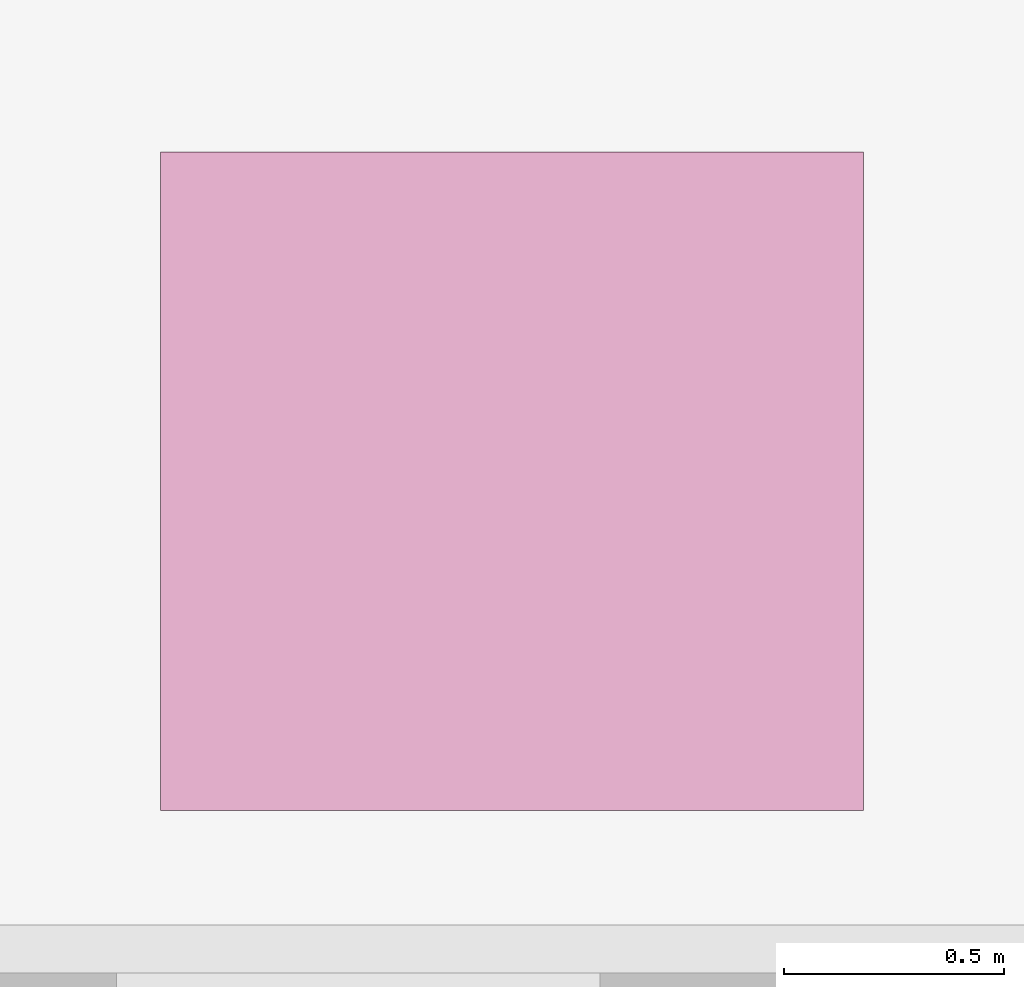
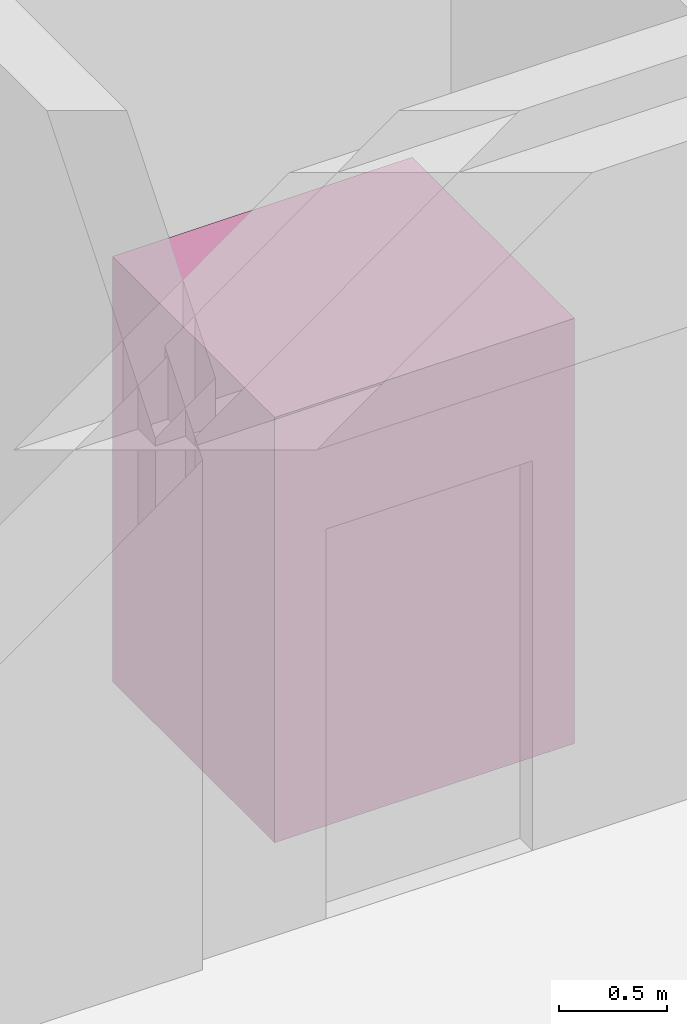
# One storey, part 9 of 9: 1 transport element.
"""IFC4 building model written with IfcOpenShell, lengths in metres."""

from ifc_helpers import new_model, si_unit, direction, frame, origin, origin_2d, place, context, subcontext, project, spatial, rectangle, extrude, material, type_object, element, save


model = new_model("IFC4")

# Units and contexts
model_context = context("Model", 3, precision=1e-05, world=origin(), true_north=direction((0.0, 1.0)))
body_context = subcontext(model_context, "Body", "Model", "MODEL_VIEW")
ifc_project = project(units=[si_unit("LENGTHUNIT", "METRE"), si_unit("AREAUNIT", "SQUARE_METRE"), si_unit("VOLUMEUNIT", "CUBIC_METRE"), si_unit("PLANEANGLEUNIT", "RADIAN"), si_unit("MASSUNIT", "GRAM", prefix="KILO")], contexts=[model_context])

# Site, building, storey
site_placement = place(None, origin())
site = spatial("IfcSite", under=ifc_project, at=site_placement, CompositionType="ELEMENT")
building_placement = place(site_placement, origin())
building = spatial("IfcBuilding", under=site, at=building_placement, Name="Talyreon Biosciences Tower", CompositionType="ELEMENT")
storey_placement = place(building_placement, frame((0.0, 0.0, 317.199951171875)))
storey = spatial("IfcBuildingStorey", under=building, at=storey_placement, Name="L84", CompositionType="ELEMENT", Elevation=317.199951171875)

# Transport element
ifc_material = material(Name="Brushed stainless-steel service maintenance elevator cab", Category="steel")
transport_element_type = type_object("IfcTransportElementType", Name="ServiceMaintenanceElevatorCar_1600x1500", PredefinedType="ELEVATOR", material=ifc_material)
transport_element_placement = place(storey_placement, frame((66.60009765625, 54.199951171875, 0.0), z_axis=(0.0, 0.0, 1.0), x_axis=(1.0, 0.0, 0.0)))
element("IfcTransportElement", 1, at=transport_element_placement, inside=storey, type_object=transport_element_type, Name="Elevator Car SL1", PredefinedType="ELEVATOR", context=body_context, shape_type="SweptSolid", body=[
    extrude(rectangle(XDim=1.60009765625, YDim=1.5, at=origin_2d()), origin(), (0.0, 0.0, 1.0), 2.39990234375),
])

save(model, "model.ifc")
